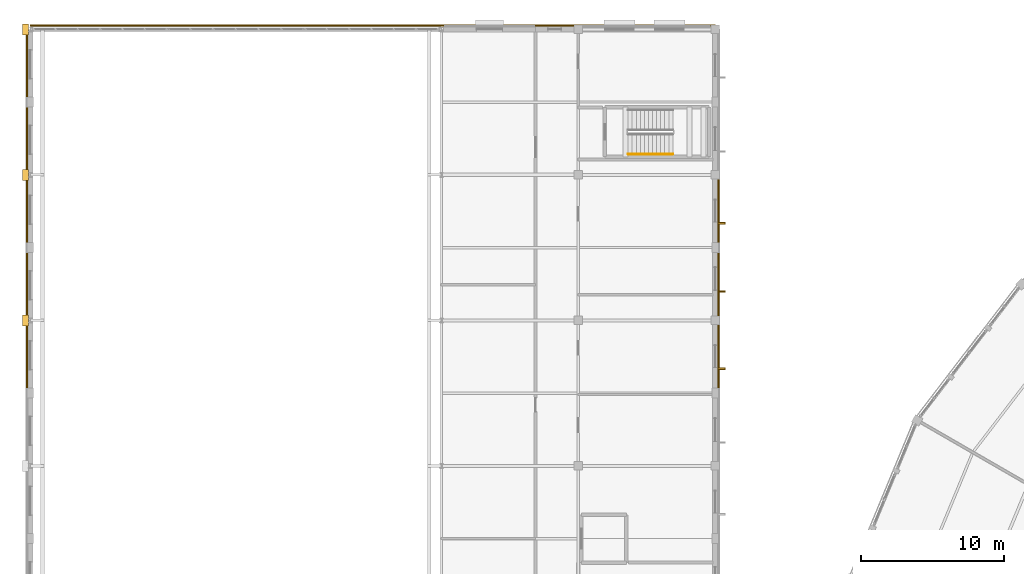
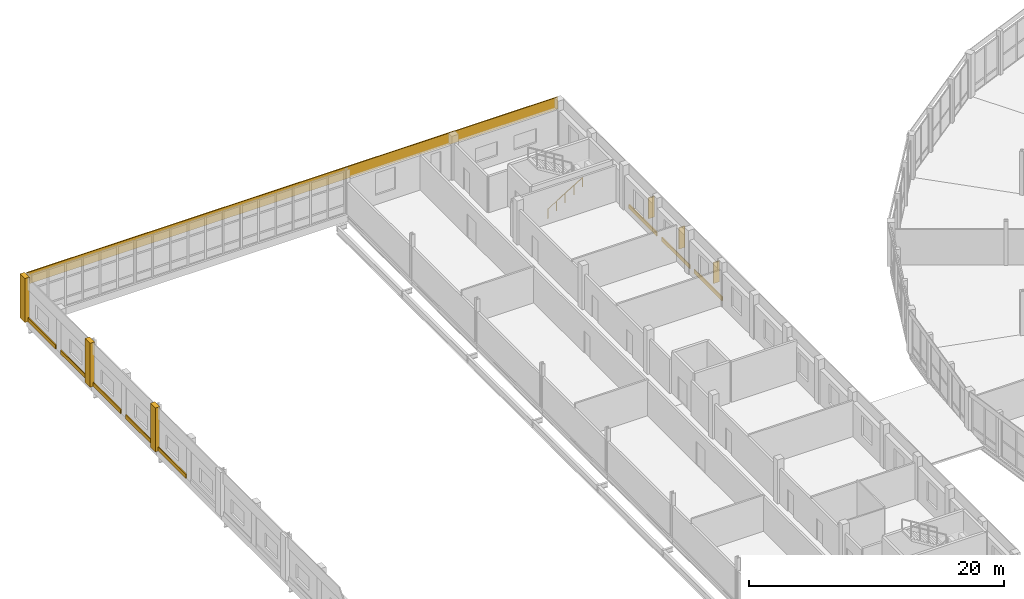
# One storey, part 160 of 170: 12 coverings, 3 shading devices, 1 railing.
"""IFC4 building model written with IfcOpenShell, lengths in metres."""

import ifcopenshell
import ifcopenshell.guid

model = None  # the IFC model being written
_history = None  # IfcOwnerHistory: only IFC2X3 demands one
_inside = {}  # id of a spatial element -> (the spatial element, [elements in it])
_under = {}  # id of a project, library or spatial element -> (it, [spatial elements below it])
_declared = {}  # id of a project -> (the project, [libraries it declares])
_typed = {}  # id of a type object -> (the type object, [elements of that type])
_made_of = {}  # id of a material, layer set ... -> (it, [elements and type objects made of it])


def new_model(schema):
    """Start an empty IFC model of exactly this schema.

    Asked for "IFC4X3", IfcOpenShell would pick the latest addendum, in which some entities
    have other attributes; the version numbers below select the first issue.
    IFC2X3 requires an IfcOwnerHistory on every rooted entity: one is made here for all.
    """
    global model, _history
    if schema == "IFC4X3":
        model = ifcopenshell.file(schema_version=(4, 3, 0, 0))
    else:
        model = ifcopenshell.file(schema=schema)
    _inside.clear()
    _under.clear()
    _declared.clear()
    _typed.clear()
    _made_of.clear()
    _history = None
    if model.schema == "IFC2X3":
        org = make("IfcOrganization", Name="unknown")
        user = make(
            "IfcPersonAndOrganization",
            ThePerson=make("IfcPerson", FamilyName="unknown"),
            TheOrganization=org,
        )
        app = make(
            "IfcApplication",
            ApplicationDeveloper=org,
            Version="unknown",
            ApplicationFullName="unknown",
            ApplicationIdentifier="unknown",
        )
        _history = make(
            "IfcOwnerHistory",
            OwningUser=user,
            OwningApplication=app,
            ChangeAction="ADDED",
            CreationDate=0,
        )
    return model


def make(cls, **values):
    """One entity of the class cls with the attributes given. An attribute that is None is left unset."""
    return model.create_entity(
        cls, **{name: value for name, value in values.items() if value is not None}
    )


def rooted(cls, **values):
    """An entity with a GlobalId (a new one), such as an element, a storey or a relation."""
    return make(cls, GlobalId=ifcopenshell.guid.new(), OwnerHistory=_history, **values)


def si_unit(unit_type, name, prefix=None):
    """IfcSIUnit, for example si_unit("LENGTHUNIT", "METRE", prefix="MILLI")."""
    return make("IfcSIUnit", UnitType=unit_type, Prefix=prefix, Name=name)


def assignment(units):
    """IfcUnitAssignment: the units of a project."""
    return None if units is None else make("IfcUnitAssignment", Units=units)


def point(xyz):
    """IfcCartesianPoint."""
    return None if xyz is None else make("IfcCartesianPoint", Coordinates=xyz)


def direction(xyz):
    """IfcDirection."""
    return None if xyz is None else make("IfcDirection", DirectionRatios=xyz)


def frame(location, z_axis=None, x_axis=None):
    """IfcAxis2Placement3D, a coordinate frame: its origin and axes. An axis left out is left unset."""
    return make(
        "IfcAxis2Placement3D",
        Location=point(location),
        Axis=direction(z_axis),
        RefDirection=direction(x_axis),
    )


def frame_2d(location, x_axis=None):
    """IfcAxis2Placement2D, a coordinate frame in the plane: its origin and x axis."""
    return make(
        "IfcAxis2Placement2D", Location=point(location), RefDirection=direction(x_axis)
    )


def origin():
    """The frame at (0, 0, 0) with its axes left unset."""
    return frame((0.0, 0.0, 0.0))


def origin_2d():
    """The frame at (0, 0) in the plane with its x axis left unset."""
    return frame_2d((0.0, 0.0))


def place(relative_to, where):
    """IfcLocalPlacement: puts the frame where relative to a parent placement (None: the world)."""
    return make(
        "IfcLocalPlacement", PlacementRelTo=relative_to, RelativePlacement=where
    )


def context(
    kind, dimensions, precision=None, world=None, true_north=None, identifier=None
):
    """IfcGeometricRepresentationContext, for example the 3D "Model" context."""
    return make(
        "IfcGeometricRepresentationContext",
        ContextIdentifier=identifier,
        ContextType=kind,
        CoordinateSpaceDimension=dimensions,
        Precision=precision,
        WorldCoordinateSystem=world,
        TrueNorth=true_north,
    )


def subcontext(parent, identifier, kind, view, scale=None):
    """IfcGeometricRepresentationSubContext, for example "Body" below "Model"."""
    return make(
        "IfcGeometricRepresentationSubContext",
        ContextIdentifier=identifier,
        ContextType=kind,
        ParentContext=parent,
        TargetScale=scale,
        TargetView=view,
    )


def project(units=None, contexts=None):
    """IfcProject with its units and contexts."""
    return rooted(
        "IfcProject",
        Name="project",
        RepresentationContexts=contexts,
        UnitsInContext=assignment(units),
    )


def spatial(cls, under=None, at=None, **own):
    """A site, building, storey or space (cls), placed at a placement, below another one or the project."""
    s = rooted(cls, ObjectPlacement=at, **own)
    if under is not None:
        _under.setdefault(under.id(), (under, []))[1].append(s)
    return s


def profile(cls, at=None, kind="AREA", **sizes):
    """A parametric profile (cls). Its sizes go by their IFC names, for example OverallWidth=200.0."""
    return make(cls, ProfileType=kind, Position=at, **sizes)


def rectangle(**sizes):
    """IfcRectangleProfileDef."""
    return profile("IfcRectangleProfileDef", **sizes)


def circle(**sizes):
    """IfcCircleProfileDef."""
    return profile("IfcCircleProfileDef", **sizes)


def extrude(swept, where, along, depth):
    """IfcExtrudedAreaSolid: the profile swept, set in the frame where, extruded along a direction by depth."""
    return make(
        "IfcExtrudedAreaSolid",
        SweptArea=swept,
        Position=where,
        ExtrudedDirection=direction(along),
        Depth=depth,
    )


def shape(context_of_items, identifier, shape_type, items):
    """IfcShapeRepresentation: the items that make up one representation, for example the "Body"."""
    return make(
        "IfcShapeRepresentation",
        ContextOfItems=context_of_items,
        RepresentationIdentifier=identifier,
        RepresentationType=shape_type,
        Items=items,
    )


def material(Name=None, Category=None):
    """IfcMaterial."""
    return make("IfcMaterial", Name=Name, Category=Category)


def layer(
    of_material, thickness, ventilated=None, Name=None, Category=None, Priority=None
):
    """IfcMaterialLayer: one layer of a wall or slab, of a material (None: an air gap)."""
    return make(
        "IfcMaterialLayer",
        Material=of_material,
        LayerThickness=thickness,
        IsVentilated=ventilated,
        Name=Name,
        Category=Category,
        Priority=Priority,
    )


def layer_set(layers, Name=None):
    """IfcMaterialLayerSet."""
    return make("IfcMaterialLayerSet", MaterialLayers=layers, LayerSetName=Name)


def made_of(thing, what):
    """Note that an element or type object is made of a material, layer set ...; save() writes the relation."""
    if what is not None:
        _made_of.setdefault(what.id(), (what, []))[1].append(thing)
    return thing


def type_object(cls, material=None, **own):
    """A type object (cls), such as IfcWallType, which elements share."""
    return made_of(rooted(cls, **own), material)


def element(
    cls,
    number,
    at=None,
    inside=None,
    cuts=None,
    type_object=None,
    material=None,
    context=None,
    identifier="Body",
    shape_type=None,
    held_by="IfcProductDefinitionShape",
    body=None,
    shapes=None,
    **own,
):
    """One element of the class cls, such as IfcWall. Its Tag is "e" and its number.

    at: its placement. inside: the storey or other place that contains it. cuts: it is an
    opening in that element (IfcRelVoidsElement). A single representation is given by context,
    identifier, shape_type and body (its items); several are given by shapes. held_by: the class
    of the entity that holds the representations. save() writes the other relations.
    """
    e = rooted(cls, Tag="e%d" % number, ObjectPlacement=at, **own)
    if body is not None:
        shapes = [shape(context, identifier, shape_type, body)]
    if shapes is not None:
        e.Representation = make(held_by, Representations=shapes)
    if inside is not None:
        _inside.setdefault(inside.id(), (inside, []))[1].append(e)
    if cuts is not None:
        rooted(
            "IfcRelVoidsElement", RelatingBuildingElement=cuts, RelatedOpeningElement=e
        )
    if type_object is not None:
        _typed.setdefault(type_object.id(), (type_object, []))[1].append(e)
    return made_of(e, material)


def aggregate(whole, parts):
    """IfcRelAggregates: a whole, such as a stair, and the parts it consists of."""
    return rooted("IfcRelAggregates", RelatingObject=whole, RelatedObjects=parts)


def save(model, path):
    """Write the relations noted so far, then the file.

    IfcRelAggregates (storeys below a building ...), IfcRelContainedInSpatialStructure (elements
    in a storey), IfcRelDefinesByType, IfcRelAssociatesMaterial and IfcRelDeclares: one each for
    every whole, place, type object, material and project.
    """
    for whole, parts in _under.values():
        aggregate(whole, parts)
    for where, things in _inside.values():
        rooted(
            "IfcRelContainedInSpatialStructure",
            RelatedElements=things,
            RelatingStructure=where,
        )
    for kind, things in _typed.values():
        rooted("IfcRelDefinesByType", RelatedObjects=things, RelatingType=kind)
    for what, things in _made_of.values():
        rooted("IfcRelAssociatesMaterial", RelatedObjects=things, RelatingMaterial=what)
    for by, libraries in _declared.values():
        rooted("IfcRelDeclares", RelatingContext=by, RelatedDefinitions=libraries)
    model.write(path)


model = new_model("IFC4")

# Units and contexts
model_context = context("Model", 3, precision=1e-05, world=origin(), true_north=direction((0.0, 1.0)))
body_context = subcontext(model_context, "Body", "Model", "MODEL_VIEW")
ifc_project = project(units=[si_unit("LENGTHUNIT", "METRE"), si_unit("AREAUNIT", "SQUARE_METRE"), si_unit("VOLUMEUNIT", "CUBIC_METRE"), si_unit("PLANEANGLEUNIT", "RADIAN"), si_unit("MASSUNIT", "GRAM", prefix="KILO")], contexts=[model_context])

# Site, building, storey
site_placement = place(None, origin())
site = spatial("IfcSite", under=ifc_project, at=site_placement, CompositionType="ELEMENT")
building_placement = place(site_placement, origin())
building = spatial("IfcBuilding", under=site, at=building_placement, Name="Vondelvale Polytechnic", CompositionType="ELEMENT")
storey_placement = place(building_placement, frame((0.0, 0.0, 5.39990234375)))
storey = spatial("IfcBuildingStorey", under=building, at=storey_placement, Name="L01", CompositionType="ELEMENT", Elevation=5.39990234375)

# Coverings
ifc_material_1 = material(Name="Amsterdam School iron-spot clinker clay brickwork", Category="masonry")
ifc_layer_1 = layer(ifc_material_1, 0.090087890625)
ifc_layer_set_1 = layer_set([ifc_layer_1], Name="COV-BRICK-RELIEF")
covering_type = type_object("IfcCoveringType", Name="COV-BRICK-RELIEF", PredefinedType="CLADDING", material=ifc_layer_set_1)
covering_placement = place(storey_placement, frame((24.0, 122.6650390625, 3.080078125), z_axis=(0.0, 0.0, 1.0), x_axis=(1.0, 0.0, 0.0)))
element("IfcCovering", 1, at=covering_placement, inside=storey, type_object=covering_type, Name="L01 exterior masonry spandrel band", PredefinedType="CLADDING", context=body_context, shape_type="SweptSolid", body=[
    extrude(rectangle(XDim=48.0, YDim=0.090087890625, at=origin_2d()), origin(), (0.0, 0.0, 1.0), 1.1201171875),
])
for number, where, z_axis, x_axis, name in (
    (2, (-0.23095703125, 99.543212890625, 0.000244140625), (0.0, 0.0, 1.0), (0.0, 1.0, 0.0), "L01 exterior corbelled masonry relief band"),
    (3, (-0.23095703125, 104.456787109375, 0.000244140625), (0.0, 0.0, 1.0), (0.0, 1.0, 0.0), "L01 exterior corbelled masonry relief band"),
    (4, (-0.23095703125, 109.7431640625, 0.000244140625), (0.0, 0.0, 1.0), (0.0, 1.0, 0.0), "L01 exterior corbelled masonry relief band"),
    (5, (-0.23095703125, 114.65673828125, 0.000244140625), (0.0, 0.0, 1.0), (0.0, 1.0, 0.0), "L01 exterior corbelled masonry relief band"),
    (6, (-0.23095703125, 119.943359375, 0.000244140625), (0.0, 0.0, 1.0), (0.0, 1.0, 0.0), "L01 exterior corbelled masonry relief band"),
):
    element("IfcCovering", number, at=place(storey_placement, frame(where, z_axis=z_axis, x_axis=x_axis)), inside=storey, type_object=covering_type, Name=name, PredefinedType="CLADDING", context=body_context, shape_type="SweptSolid", body=[
        extrude(rectangle(XDim=4.5244140625, YDim=0.090087890625, at=origin_2d()), origin(), (0.0, 0.0, 1.0), 0.3798828125),
    ])
for number, where, z_axis, x_axis, name in (
    (7, (48.23095703125, 99.47509765625, 0.000244140625), (0.0, 0.0, 1.0), (0.0, -1.0, 0.0), "L01 exterior corbelled masonry relief band"),
    (8, (48.23095703125, 104.52490234375, 0.000244140625), (0.0, 0.0, 1.0), (0.0, -1.0, 0.0), "L01 exterior corbelled masonry relief band"),
    (9, (48.23095703125, 109.675048828125, 0.000244140625), (0.0, 0.0, 1.0), (0.0, -1.0, 0.0), "L01 exterior corbelled masonry relief band"),
):
    element("IfcCovering", number, at=place(storey_placement, frame(where, z_axis=z_axis, x_axis=x_axis)), inside=storey, type_object=covering_type, Name=name, PredefinedType="CLADDING", context=body_context, shape_type="SweptSolid", body=[
        extrude(rectangle(XDim=4.387939453125, YDim=0.090087890625, at=origin_2d()), origin(), (0.0, 0.0, 1.0), 0.3798828125),
    ])
for number, where, z_axis, x_axis, name in (
    (10, (-0.340087890625, 102.0, 0.0), (0.0, 0.0, 1.0), (1.0, 0.0, 0.0), "L01 Workshop giant-order brick buttress pier"),
    (11, (-0.340087890625, 112.199951171875, 0.0), (0.0, 0.0, 1.0), (1.0, 0.0, 0.0), "L01 Workshop giant-order brick buttress pier"),
    (12, (-0.340087890625, 122.39990234375, 0.0), (0.0, 0.0, 1.0), (1.0, 0.0, 0.0), "L01 Workshop giant-order brick buttress pier"),
):
    element("IfcCovering", number, at=place(storey_placement, frame(where, z_axis=z_axis, x_axis=x_axis)), inside=storey, type_object=covering_type, Name=name, PredefinedType="CLADDING", context=body_context, shape_type="SweptSolid", body=[
        extrude(rectangle(XDim=0.39990234375, YDim=0.780029296875, at=origin_2d()), origin(), (0.0, 0.0, 1.0), 4.199951171875),
    ])

# Railing
ifc_material_2 = material(Name="Brushed architectural stainless and zinc-coated metal")
ifc_layer_2 = layer(ifc_material_2, 0.048095703125)
ifc_layer_set_2 = layer_set([ifc_layer_2], Name="RL-STAIR-HANDRAIL")
railing_type = type_object("IfcRailingType", Name="RL-STAIR-HANDRAIL", PredefinedType="HANDRAIL", material=ifc_layer_set_2)
railing_placement = place(storey_placement, frame((41.89990234375, 113.64990234375, 0.175048828125)))
element("IfcRailing", 13, at=railing_placement, inside=storey, type_object=railing_type, Name="L01 ST-02 stair handrail 1", PredefinedType="HANDRAIL", context=body_context, shape_type="SweptSolid", body=[
    extrude(circle(Radius=0.02392578125, at=origin_2d()), frame((0.0, 0.0, 0.8759765625), z_axis=(0.852166034122, 0.0, 0.523271488128), x_axis=(0.0, 1.0, 0.0)), (0.0, 0.0, 1.0), 3.678955078125),
    extrude(circle(Radius=0.02099609375, at=origin_2d()), origin(), (0.0, 0.0, 1.0), 0.851806640625),
    extrude(circle(Radius=0.02099609375, at=origin_2d()), frame((0.78369140625, 0.0, 0.481201171875)), (0.0, 0.0, 1.0), 0.851806640625),
    extrude(circle(Radius=0.02099609375, at=origin_2d()), frame((1.5673828125, 0.0, 0.96240234375)), (0.0, 0.0, 1.0), 0.851806640625),
    extrude(circle(Radius=0.02099609375, at=origin_2d()), frame((2.351318359375, 0.0, 1.44384765625)), (0.0, 0.0, 1.0), 0.851806640625),
    extrude(circle(Radius=0.02099609375, at=origin_2d()), frame((3.135009765625, 0.0, 1.925048828125)), (0.0, 0.0, 1.0), 0.851806640625),
])

# Shading devices
ifc_material_3 = material(Name="Kiln-fired architectural terracotta", Category="masonry")
shading_device_type = type_object("IfcShadingDeviceType", Name="SHD-TERRA-FIN-550", PredefinedType="JALOUSIE", material=ifc_material_3)
shading_device_1_placement = place(storey_placement, frame((48.449951171875, 98.610107421875, 0.89013671875), z_axis=(0.0, 0.0, 1.0), x_axis=(0.0, -1.0, 0.0)))
element("IfcShadingDevice", 14, at=shading_device_1_placement, inside=storey, type_object=shading_device_type, Name="L01 vertical terracotta solar fin", PredefinedType="JALOUSIE", context=body_context, shape_type="SweptSolid", body=[
    extrude(rectangle(XDim=0.110107421875, YDim=0.550048828125, at=origin_2d()), origin(), (0.0, 0.0, 1.0), 1.969970703125),
])
shading_device_2_placement = place(storey_placement, frame((48.449951171875, 104.030029296875, 0.89013671875), z_axis=(0.0, 0.0, 1.0), x_axis=(0.0, -1.0, 0.0)))
element("IfcShadingDevice", 15, at=shading_device_2_placement, inside=storey, type_object=shading_device_type, Name="L01 vertical terracotta solar fin", PredefinedType="JALOUSIE", context=body_context, shape_type="SweptSolid", body=[
    extrude(rectangle(XDim=0.110107421875, YDim=0.550048828125, at=origin_2d()), origin(), (0.0, 0.0, 1.0), 2.02001953125),
])
shading_device_3_placement = place(storey_placement, frame((48.449951171875, 108.81005859375, 0.89013671875), z_axis=(0.0, 0.0, 1.0), x_axis=(0.0, -1.0, 0.0)))
element("IfcShadingDevice", 16, at=shading_device_3_placement, inside=storey, type_object=shading_device_type, Name="L01 vertical terracotta solar fin", PredefinedType="JALOUSIE", context=body_context, shape_type="SweptSolid", body=[
    extrude(rectangle(XDim=0.110107421875, YDim=0.550048828125, at=origin_2d()), origin(), (0.0, 0.0, 1.0), 1.969970703125),
])

save(model, "model.ifc")
